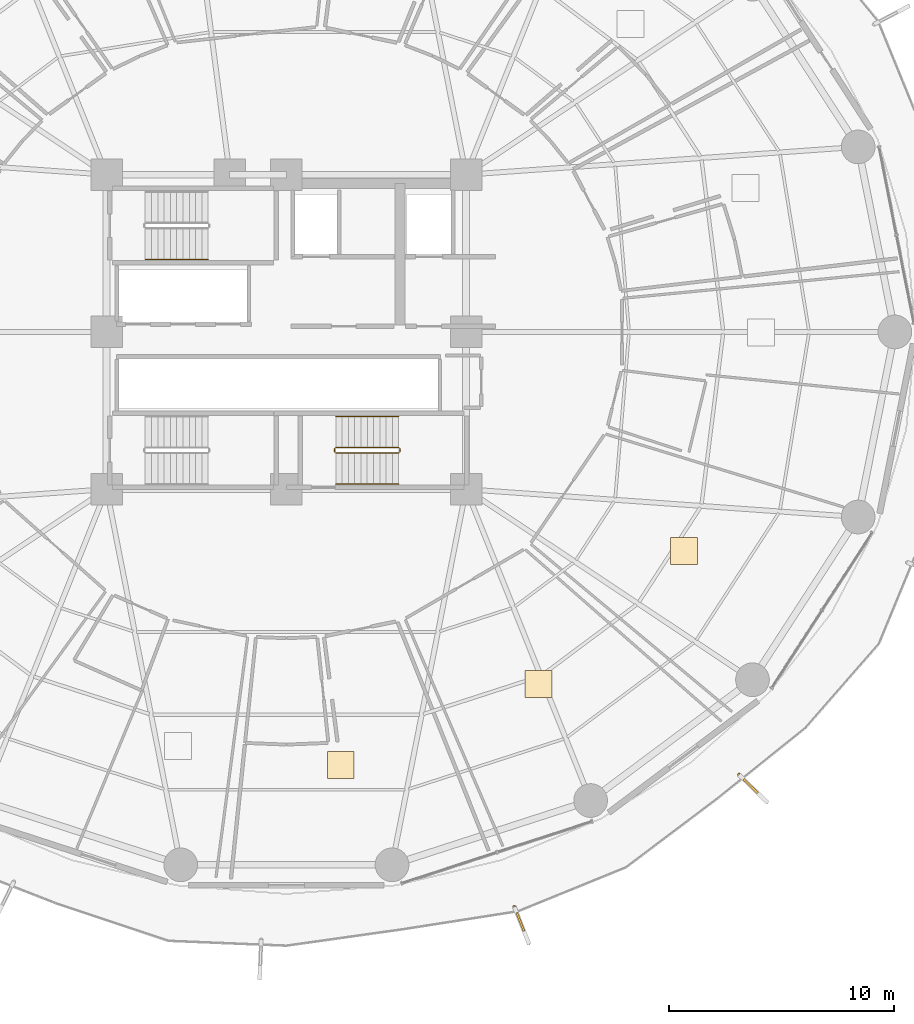
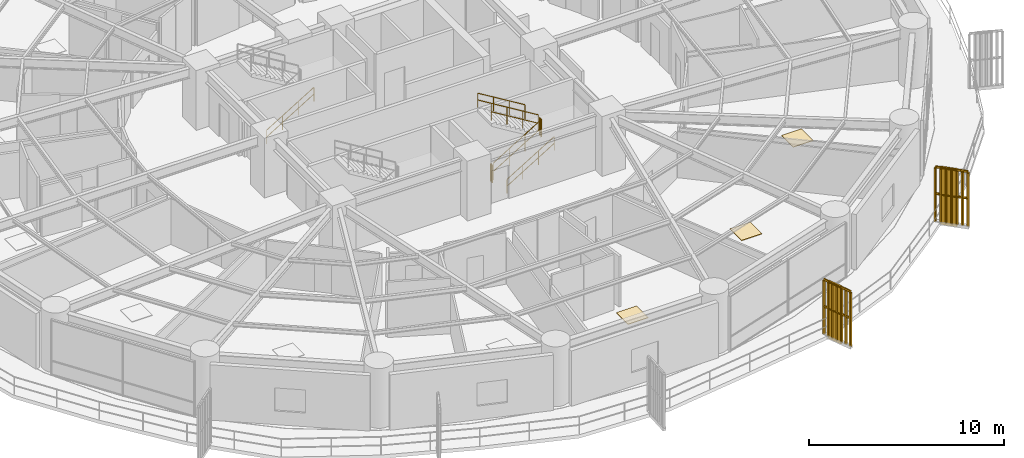
# One storey, part 29 of 32: 9 railings, 3 coverings, 2 shading devices.
"""IFC4 building model written with IfcOpenShell, lengths in metres."""

from ifc_helpers import new_model, si_unit, direction, frame, origin, origin_2d, place, context, subcontext, project, spatial, polyline, rectangle, outline, extrude, source, transform, mapped, material, layer, layer_set, type_object, element, save


model = new_model("IFC4")

# Units and contexts
model_context = context("Model", 3, precision=1e-05, world=origin(), true_north=direction((0.0, 1.0)))
body_context = subcontext(model_context, "Body", "Model", "MODEL_VIEW")
ifc_project = project(units=[si_unit("LENGTHUNIT", "METRE"), si_unit("AREAUNIT", "SQUARE_METRE"), si_unit("VOLUMEUNIT", "CUBIC_METRE"), si_unit("PLANEANGLEUNIT", "RADIAN"), si_unit("MASSUNIT", "GRAM", prefix="KILO")], contexts=[model_context])

# Site, building, storey
site_placement = place(None, origin())
site = spatial("IfcSite", under=ifc_project, at=site_placement, CompositionType="ELEMENT")
building_placement = place(site_placement, origin())
building = spatial("IfcBuilding", under=site, at=building_placement, Name="Kelanora Arch Commons", CompositionType="ELEMENT")
storey_placement = place(building_placement, frame((0.0, 0.0, 52.5)))
storey = spatial("IfcBuildingStorey", under=building, at=storey_placement, Name="L13", CompositionType="ELEMENT", Elevation=52.5)

# Railings
ifc_material_1 = material(Name="Anodised bronze vertical shading fin rib assembly")
railing_type_1 = type_object("IfcRailingType", Name="RAIL-FIN-BRZ", PredefinedType="BALUSTRADE", material=ifc_material_1)
railing_1_placement = place(storey_placement, frame((84.14697265625, 32.414794921875, -0.02001953125)))
element("IfcRailing", 1, at=railing_1_placement, inside=storey, type_object=railing_type_1, Name="Sweeping Bronze Vertical Fin Blade L13-11", PredefinedType="BALUSTRADE", context=body_context, shape_type="SweptSolid", body=[
    extrude(outline(polyline([(0.06982421875, 0.0), (0.034912109375, 0.060546875), (-0.034912109375, 0.060546875), (-0.06982421875, 0.0), (-0.034912109375, -0.060546875), (0.034912109375, -0.060546875), (0.06982421875, 0.0)])), frame((0.0, 0.0, 3.419921875), z_axis=(0.368615207574, -0.929582072087, 0.0), x_axis=(0.929582072087, 0.368615207574, 0.0)), (0.0, 0.0, 1.0), 1.72998046875),
    extrude(outline(polyline([(0.06982421875, 0.0), (0.034912109375, 0.060546875), (-0.034912109375, 0.060546875), (-0.06982421875, 0.0), (-0.034912109375, -0.060546875), (0.034912109375, -0.060546875), (0.06982421875, 0.0)])), frame((0.0, 0.0, 1.7451171875), z_axis=(0.368615207574, -0.929582072087, 0.0), x_axis=(0.929582072087, 0.368615207574, 0.0)), (0.0, 0.0, 1.0), 1.72998046875),
    extrude(outline(polyline([(0.080078125, 0.0), (0.0400390625, 0.0693359375), (-0.0400390625, 0.0693359375), (-0.080078125, 0.0), (-0.0400390625, -0.0693359375), (0.0400390625, -0.0693359375), (0.080078125, 0.0)])), origin(), (0.0, 0.0, 1.0), 3.35009765625),
    extrude(outline(polyline([(0.080078125, 0.0), (0.0400390625, 0.0693359375), (-0.0400390625, 0.0693359375), (-0.080078125, 0.0), (-0.0400390625, -0.0693359375), (0.0400390625, -0.0693359375), (0.080078125, 0.0)])), frame((0.106201171875, -0.26806640625, 0.0)), (0.0, 0.0, 1.0), 3.35009765625),
    extrude(outline(polyline([(0.080078125, 0.0), (0.0400390625, 0.0693359375), (-0.0400390625, 0.0693359375), (-0.080078125, 0.0), (-0.0400390625, -0.0693359375), (0.0400390625, -0.0693359375), (0.080078125, 0.0)])), frame((0.212646484375, -0.5361328125, 0.0)), (0.0, 0.0, 1.0), 3.35009765625),
    extrude(outline(polyline([(0.080078125, 0.0), (0.0400390625, 0.0693359375), (-0.0400390625, 0.0693359375), (-0.080078125, 0.0), (-0.0400390625, -0.0693359375), (0.0400390625, -0.0693359375), (0.080078125, 0.0)])), frame((0.31884765625, -0.80419921875, 0.0)), (0.0, 0.0, 1.0), 3.35009765625),
    extrude(outline(polyline([(0.080078125, 0.0), (0.0400390625, 0.0693359375), (-0.0400390625, 0.0693359375), (-0.080078125, 0.0), (-0.0400390625, -0.0693359375), (0.0400390625, -0.0693359375), (0.080078125, 0.0)])), frame((0.425048828125, -1.072021484375, 0.0)), (0.0, 0.0, 1.0), 3.35009765625),
    extrude(outline(polyline([(0.080078125, 0.0), (0.0400390625, 0.0693359375), (-0.0400390625, 0.0693359375), (-0.080078125, 0.0), (-0.0400390625, -0.0693359375), (0.0400390625, -0.0693359375), (0.080078125, 0.0)])), frame((0.531494140625, -1.340087890625, 0.0)), (0.0, 0.0, 1.0), 3.35009765625),
    extrude(outline(polyline([(0.080078125, 0.0), (0.0400390625, 0.0693359375), (-0.0400390625, 0.0693359375), (-0.080078125, 0.0), (-0.0400390625, -0.0693359375), (0.0400390625, -0.0693359375), (0.080078125, 0.0)])), frame((0.6376953125, -1.608154296875, 0.0)), (0.0, 0.0, 1.0), 3.35009765625),
])
railing_2_placement = place(storey_placement, frame((94.146240234375, 38.2939453125, -0.02001953125)))
element("IfcRailing", 2, at=railing_2_placement, inside=storey, type_object=railing_type_1, Name="Sweeping Bronze Vertical Fin Blade L13-12", PredefinedType="BALUSTRADE", context=body_context, shape_type="SweptSolid", body=[
    extrude(outline(polyline([(0.06982421875, 0.0), (0.034912109375, 0.060546875), (-0.034912109375, 0.060546875), (-0.06982421875, 0.0), (-0.034912109375, -0.060546875), (0.034912109375, -0.060546875), (0.06982421875, 0.0)])), frame((0.0, 0.0, 3.419921875), z_axis=(0.714895362948, -0.699231449547, 0.0), x_axis=(0.699231449547, 0.714895362948, 0.0)), (0.0, 0.0, 1.0), 1.72998046875),
    extrude(outline(polyline([(0.06982421875, 0.0), (0.034912109375, 0.060546875), (-0.034912109375, 0.060546875), (-0.06982421875, 0.0), (-0.034912109375, -0.060546875), (0.034912109375, -0.060546875), (0.06982421875, 0.0)])), frame((0.0, 0.0, 1.7451171875), z_axis=(0.714895362948, -0.699231449547, 0.0), x_axis=(0.699231449547, 0.714895362948, 0.0)), (0.0, 0.0, 1.0), 1.72998046875),
    extrude(outline(polyline([(0.080078125, 0.0), (0.0400390625, 0.0693359375), (-0.0400390625, 0.0693359375), (-0.080078125, 0.0), (-0.0400390625, -0.0693359375), (0.0400390625, -0.0693359375), (0.080078125, 0.0)])), origin(), (0.0, 0.0, 1.0), 3.35009765625),
    extrude(outline(polyline([(0.080078125, 0.0), (0.0400390625, 0.0693359375), (-0.0400390625, 0.0693359375), (-0.080078125, 0.0), (-0.0400390625, -0.0693359375), (0.0400390625, -0.0693359375), (0.080078125, 0.0)])), frame((0.2060546875, -0.20166015625, 0.0)), (0.0, 0.0, 1.0), 3.35009765625),
    extrude(outline(polyline([(0.080078125, 0.0), (0.0400390625, 0.0693359375), (-0.0400390625, 0.0693359375), (-0.080078125, 0.0), (-0.0400390625, -0.0693359375), (0.0400390625, -0.0693359375), (0.080078125, 0.0)])), frame((0.412353515625, -0.4033203125, 0.0)), (0.0, 0.0, 1.0), 3.35009765625),
    extrude(outline(polyline([(0.080078125, 0.0), (0.0400390625, 0.0693359375), (-0.0400390625, 0.0693359375), (-0.080078125, 0.0), (-0.0400390625, -0.0693359375), (0.0400390625, -0.0693359375), (0.080078125, 0.0)])), frame((0.618408203125, -0.60498046875, 0.0)), (0.0, 0.0, 1.0), 3.35009765625),
    extrude(outline(polyline([(0.080078125, 0.0), (0.0400390625, 0.0693359375), (-0.0400390625, 0.0693359375), (-0.080078125, 0.0), (-0.0400390625, -0.0693359375), (0.0400390625, -0.0693359375), (0.080078125, 0.0)])), frame((0.824462890625, -0.806396484375, 0.0)), (0.0, 0.0, 1.0), 3.35009765625),
    extrude(outline(polyline([(0.080078125, 0.0), (0.0400390625, 0.0693359375), (-0.0400390625, 0.0693359375), (-0.080078125, 0.0), (-0.0400390625, -0.0693359375), (0.0400390625, -0.0693359375), (0.080078125, 0.0)])), frame((1.03076171875, -1.008056640625, 0.0)), (0.0, 0.0, 1.0), 3.35009765625),
    extrude(outline(polyline([(0.080078125, 0.0), (0.0400390625, 0.0693359375), (-0.0400390625, 0.0693359375), (-0.080078125, 0.0), (-0.0400390625, -0.0693359375), (0.0400390625, -0.0693359375), (0.080078125, 0.0)])), frame((1.23681640625, -1.209716796875, 0.0)), (0.0, 0.0, 1.0), 3.35009765625),
])
ifc_material_2 = material(Name="Painted steel stair well guard", Category="steel")
railing_type_2 = type_object("IfcRailingType", Name="RAIL-STAIR-GRD", PredefinedType="GUARDRAIL", material=ifc_material_2)
railing_3_placement = place(storey_placement, frame((76.199951171875, 52.610107421875, 0.17041015625)))
element("IfcRailing", 3, at=railing_3_placement, inside=storey, type_object=railing_type_2, Name="L13 ST-T2 stair guard 1", PredefinedType="GUARDRAIL", context=body_context, shape_type="SweptSolid", body=[
    extrude(outline(polyline([(0.02392578125, 0.0), (0.011962890625, 0.020751953125), (-0.011962890625, 0.020751953125), (-0.02392578125, 0.0), (-0.011962890625, -0.020751953125), (0.011962890625, -0.020751953125), (0.02392578125, 0.0)])), frame((0.0, 0.0, 1.076171875), z_axis=(0.854169791009, 0.0, 0.51999420009), x_axis=(0.0, 1.0, 0.0)), (0.0, 0.0, 1.0), 3.278076171875),
    extrude(outline(polyline([(0.02392578125, 0.0), (0.011962890625, 0.020751953125), (-0.011962890625, 0.020751953125), (-0.02392578125, 0.0), (-0.011962890625, -0.020751953125), (0.011962890625, -0.020751953125), (0.02392578125, 0.0)])), frame((0.0, 0.0, 0.550048828125), z_axis=(0.854169791009, 0.0, 0.51999420009), x_axis=(0.0, 1.0, 0.0)), (0.0, 0.0, 1.0), 3.278076171875),
    extrude(outline(polyline([(0.02099609375, 0.0), (0.010498046875, 0.01806640625), (-0.010498046875, 0.01806640625), (-0.02099609375, 0.0), (-0.010498046875, -0.01806640625), (0.010498046875, -0.01806640625), (0.02099609375, 0.0)])), origin(), (0.0, 0.0, 1.0), 1.052001953125),
    extrude(outline(polyline([(0.02099609375, 0.0), (0.010498046875, 0.01806640625), (-0.010498046875, 0.01806640625), (-0.02099609375, 0.0), (-0.010498046875, -0.01806640625), (0.010498046875, -0.01806640625), (0.02099609375, 0.0)])), frame((0.933349609375, 0.0, 0.568115234375)), (0.0, 0.0, 1.0), 1.052001953125),
    extrude(outline(polyline([(0.02099609375, 0.0), (0.010498046875, 0.01806640625), (-0.010498046875, 0.01806640625), (-0.02099609375, 0.0), (-0.010498046875, -0.01806640625), (0.010498046875, -0.01806640625), (0.02099609375, 0.0)])), frame((1.86669921875, 0.0, 1.136474609375)), (0.0, 0.0, 1.0), 1.052001953125),
    extrude(outline(polyline([(0.02099609375, 0.0), (0.010498046875, 0.01806640625), (-0.010498046875, 0.01806640625), (-0.02099609375, 0.0), (-0.010498046875, -0.01806640625), (0.010498046875, -0.01806640625), (0.02099609375, 0.0)])), frame((2.800048828125, 0.0, 1.70458984375)), (0.0, 0.0, 1.0), 1.052001953125),
])
railing_4_placement = place(storey_placement, frame((79.050048828125, 52.659912109375, 1.875)))
element("IfcRailing", 4, at=railing_4_placement, inside=storey, type_object=railing_type_2, Name="L13 ST-T2 stair guard 2", PredefinedType="GUARDRAIL", context=body_context, shape_type="SweptSolid", body=[
    extrude(outline(polyline([(0.02392578125, 0.0), (0.011962890625, 0.020751953125), (-0.011962890625, 0.020751953125), (-0.02392578125, 0.0), (-0.011962890625, -0.020751953125), (0.011962890625, -0.020751953125), (0.02392578125, 0.0)])), frame((0.0, 0.0, 1.076171875), z_axis=(0.0, 1.0, 0.0), x_axis=(-1.0, 0.0, 0.0)), (0.0, 0.0, 1.0), 0.150146484375),
    extrude(outline(polyline([(0.02392578125, 0.0), (0.011962890625, 0.020751953125), (-0.011962890625, 0.020751953125), (-0.02392578125, 0.0), (-0.011962890625, -0.020751953125), (0.011962890625, -0.020751953125), (0.02392578125, 0.0)])), frame((0.0, 0.0, 0.550048828125), z_axis=(0.0, 1.0, 0.0), x_axis=(-1.0, 0.0, 0.0)), (0.0, 0.0, 1.0), 0.150146484375),
    extrude(outline(polyline([(0.02099609375, 0.0), (0.010498046875, 0.01806640625), (-0.010498046875, 0.01806640625), (-0.02099609375, 0.0), (-0.010498046875, -0.01806640625), (0.010498046875, -0.01806640625), (0.02099609375, 0.0)])), origin(), (0.0, 0.0, 1.0), 1.052001953125),
    extrude(outline(polyline([(0.02099609375, 0.0), (0.010498046875, 0.01806640625), (-0.010498046875, 0.01806640625), (-0.02099609375, 0.0), (-0.010498046875, -0.01806640625), (0.010498046875, -0.01806640625), (0.02099609375, 0.0)])), frame((0.0, 0.150146484375, 0.0)), (0.0, 0.0, 1.0), 1.052001953125),
])
railing_5_placement = place(storey_placement, frame((79.0, 52.860107421875, 2.04541015625)))
element("IfcRailing", 5, at=railing_5_placement, inside=storey, type_object=railing_type_2, Name="L13 ST-T2 stair guard 3", PredefinedType="GUARDRAIL", context=body_context, shape_type="SweptSolid", body=[
    extrude(outline(polyline([(0.02392578125, 0.0), (0.011962890625, 0.020751953125), (-0.011962890625, 0.020751953125), (-0.02392578125, 0.0), (-0.011962890625, -0.020751953125), (0.011962890625, -0.020751953125), (0.02392578125, 0.0)])), frame((0.0, 0.0, 1.076171875), z_axis=(-0.854169791009, 0.0, 0.51999420009), x_axis=(0.0, -1.0, 0.0)), (0.0, 0.0, 1.0), 3.278076171875),
    extrude(outline(polyline([(0.02392578125, 0.0), (0.011962890625, 0.020751953125), (-0.011962890625, 0.020751953125), (-0.02392578125, 0.0), (-0.011962890625, -0.020751953125), (0.011962890625, -0.020751953125), (0.02392578125, 0.0)])), frame((0.0, 0.0, 0.550048828125), z_axis=(-0.854169791009, 0.0, 0.51999420009), x_axis=(0.0, -1.0, 0.0)), (0.0, 0.0, 1.0), 3.278076171875),
    extrude(outline(polyline([(0.02099609375, 0.0), (0.010498046875, 0.01806640625), (-0.010498046875, 0.01806640625), (-0.02099609375, 0.0), (-0.010498046875, -0.01806640625), (0.010498046875, -0.01806640625), (0.02099609375, 0.0)])), origin(), (0.0, 0.0, 1.0), 1.052001953125),
    extrude(outline(polyline([(0.02099609375, 0.0), (0.010498046875, 0.01806640625), (-0.010498046875, 0.01806640625), (-0.02099609375, 0.0), (-0.010498046875, -0.01806640625), (0.010498046875, -0.01806640625), (0.02099609375, 0.0)])), frame((-0.933349609375, 0.0, 0.568115234375)), (0.0, 0.0, 1.0), 1.052001953125),
    extrude(outline(polyline([(0.02099609375, 0.0), (0.010498046875, 0.01806640625), (-0.010498046875, 0.01806640625), (-0.02099609375, 0.0), (-0.010498046875, -0.01806640625), (0.010498046875, -0.01806640625), (0.02099609375, 0.0)])), frame((-1.86669921875, 0.0, 1.136474609375)), (0.0, 0.0, 1.0), 1.052001953125),
    extrude(outline(polyline([(0.02099609375, 0.0), (0.010498046875, 0.01806640625), (-0.010498046875, 0.01806640625), (-0.02099609375, 0.0), (-0.010498046875, -0.01806640625), (0.010498046875, -0.01806640625), (0.02099609375, 0.0)])), frame((-2.800048828125, 0.0, 1.70458984375)), (0.0, 0.0, 1.0), 1.052001953125),
])
railing_6_placement = place(storey_placement, frame((76.14990234375, 52.659912109375, 0.0)))
element("IfcRailing", 6, at=railing_6_placement, inside=storey, type_object=railing_type_2, Name="L13 ST-T2 stair guard 4", PredefinedType="GUARDRAIL", context=body_context, shape_type="SweptSolid", body=[
    extrude(outline(polyline([(0.02392578125, 0.0), (0.011962890625, 0.020751953125), (-0.011962890625, 0.020751953125), (-0.02392578125, 0.0), (-0.011962890625, -0.020751953125), (0.011962890625, -0.020751953125), (0.02392578125, 0.0)])), frame((0.0, 0.0, 1.076171875), z_axis=(0.0, 1.0, 0.0), x_axis=(-1.0, 0.0, 0.0)), (0.0, 0.0, 1.0), 0.150146484375),
    extrude(outline(polyline([(0.02392578125, 0.0), (0.011962890625, 0.020751953125), (-0.011962890625, 0.020751953125), (-0.02392578125, 0.0), (-0.011962890625, -0.020751953125), (0.011962890625, -0.020751953125), (0.02392578125, 0.0)])), frame((0.0, 0.0, 0.550048828125), z_axis=(0.0, 1.0, 0.0), x_axis=(-1.0, 0.0, 0.0)), (0.0, 0.0, 1.0), 0.150146484375),
    extrude(outline(polyline([(0.02099609375, 0.0), (0.010498046875, 0.01806640625), (-0.010498046875, 0.01806640625), (-0.02099609375, 0.0), (-0.010498046875, -0.01806640625), (0.010498046875, -0.01806640625), (0.02099609375, 0.0)])), origin(), (0.0, 0.0, 1.0), 1.052001953125),
    extrude(outline(polyline([(0.02099609375, 0.0), (0.010498046875, 0.01806640625), (-0.010498046875, 0.01806640625), (-0.02099609375, 0.0), (-0.010498046875, -0.01806640625), (0.010498046875, -0.01806640625), (0.02099609375, 0.0)])), frame((0.0, 0.150146484375, 0.0)), (0.0, 0.0, 1.0), 1.052001953125),
])
ifc_material_3 = material(Name="Brushed stainless steel stair handrail", Category="steel")
railing_type_3 = type_object("IfcRailingType", Name="RAIL-STAIR-HND", PredefinedType="HANDRAIL", material=ifc_material_3)
railing_7_placement = place(storey_placement, frame((67.719970703125, 61.22998046875, 0.17041015625)))
element("IfcRailing", 7, at=railing_7_placement, inside=storey, type_object=railing_type_3, Name="L13 ST-T1 stair handrail 1", PredefinedType="HANDRAIL", context=body_context, shape_type="SweptSolid", body=[
    extrude(outline(polyline([(0.02392578125, 0.0), (0.011962890625, 0.020751953125), (-0.011962890625, 0.020751953125), (-0.02392578125, 0.0), (-0.011962890625, -0.020751953125), (0.011962890625, -0.020751953125), (0.02392578125, 0.0)])), frame((0.0, 0.0, 0.8759765625), z_axis=(0.854169791009, 0.0, 0.51999420009), x_axis=(0.0, 1.0, 0.0)), (0.0, 0.0, 1.0), 3.278076171875),
    extrude(outline(polyline([(0.02392578125, 0.0), (0.011962890625, 0.020751953125), (-0.011962890625, 0.020751953125), (-0.02392578125, 0.0), (-0.011962890625, -0.020751953125), (0.011962890625, -0.020751953125), (0.02392578125, 0.0)])), frame((0.0, 0.0, 0.449951171875), z_axis=(0.854169791009, 0.0, 0.51999420009), x_axis=(0.0, 1.0, 0.0)), (0.0, 0.0, 1.0), 3.278076171875),
    extrude(outline(polyline([(0.02099609375, 0.0), (0.010498046875, 0.01806640625), (-0.010498046875, 0.01806640625), (-0.02099609375, 0.0), (-0.010498046875, -0.01806640625), (0.010498046875, -0.01806640625), (0.02099609375, 0.0)])), origin(), (0.0, 0.0, 1.0), 0.851806640625),
    extrude(outline(polyline([(0.02099609375, 0.0), (0.010498046875, 0.01806640625), (-0.010498046875, 0.01806640625), (-0.02099609375, 0.0), (-0.010498046875, -0.01806640625), (0.010498046875, -0.01806640625), (0.02099609375, 0.0)])), frame((0.933349609375, 0.0, 0.568115234375)), (0.0, 0.0, 1.0), 0.851806640625),
    extrude(outline(polyline([(0.02099609375, 0.0), (0.010498046875, 0.01806640625), (-0.010498046875, 0.01806640625), (-0.02099609375, 0.0), (-0.010498046875, -0.01806640625), (0.010498046875, -0.01806640625), (0.02099609375, 0.0)])), frame((1.86669921875, 0.0, 1.136474609375)), (0.0, 0.0, 1.0), 0.851806640625),
    extrude(outline(polyline([(0.02099609375, 0.0), (0.010498046875, 0.01806640625), (-0.010498046875, 0.01806640625), (-0.02099609375, 0.0), (-0.010498046875, -0.01806640625), (0.010498046875, -0.01806640625), (0.02099609375, 0.0)])), frame((2.800048828125, 0.0, 1.70458984375)), (0.0, 0.0, 1.0), 0.851806640625),
])
railing_8_placement = place(storey_placement, frame((76.199951171875, 51.22998046875, 0.17041015625)))
element("IfcRailing", 8, at=railing_8_placement, inside=storey, type_object=railing_type_3, Name="L13 ST-T2 stair handrail 1", PredefinedType="HANDRAIL", context=body_context, shape_type="SweptSolid", body=[
    extrude(outline(polyline([(0.02392578125, 0.0), (0.011962890625, 0.020751953125), (-0.011962890625, 0.020751953125), (-0.02392578125, 0.0), (-0.011962890625, -0.020751953125), (0.011962890625, -0.020751953125), (0.02392578125, 0.0)])), frame((0.0, 0.0, 0.8759765625), z_axis=(0.854169791009, 0.0, 0.51999420009), x_axis=(0.0, 1.0, 0.0)), (0.0, 0.0, 1.0), 3.278076171875),
    extrude(outline(polyline([(0.02392578125, 0.0), (0.011962890625, 0.020751953125), (-0.011962890625, 0.020751953125), (-0.02392578125, 0.0), (-0.011962890625, -0.020751953125), (0.011962890625, -0.020751953125), (0.02392578125, 0.0)])), frame((0.0, 0.0, 0.449951171875), z_axis=(0.854169791009, 0.0, 0.51999420009), x_axis=(0.0, 1.0, 0.0)), (0.0, 0.0, 1.0), 3.278076171875),
    extrude(outline(polyline([(0.02099609375, 0.0), (0.010498046875, 0.01806640625), (-0.010498046875, 0.01806640625), (-0.02099609375, 0.0), (-0.010498046875, -0.01806640625), (0.010498046875, -0.01806640625), (0.02099609375, 0.0)])), origin(), (0.0, 0.0, 1.0), 0.851806640625),
    extrude(outline(polyline([(0.02099609375, 0.0), (0.010498046875, 0.01806640625), (-0.010498046875, 0.01806640625), (-0.02099609375, 0.0), (-0.010498046875, -0.01806640625), (0.010498046875, -0.01806640625), (0.02099609375, 0.0)])), frame((0.933349609375, 0.0, 0.568115234375)), (0.0, 0.0, 1.0), 0.851806640625),
    extrude(outline(polyline([(0.02099609375, 0.0), (0.010498046875, 0.01806640625), (-0.010498046875, 0.01806640625), (-0.02099609375, 0.0), (-0.010498046875, -0.01806640625), (0.010498046875, -0.01806640625), (0.02099609375, 0.0)])), frame((1.86669921875, 0.0, 1.136474609375)), (0.0, 0.0, 1.0), 0.851806640625),
    extrude(outline(polyline([(0.02099609375, 0.0), (0.010498046875, 0.01806640625), (-0.010498046875, 0.01806640625), (-0.02099609375, 0.0), (-0.010498046875, -0.01806640625), (0.010498046875, -0.01806640625), (0.02099609375, 0.0)])), frame((2.800048828125, 0.0, 1.70458984375)), (0.0, 0.0, 1.0), 0.851806640625),
])
railing_9_placement = place(storey_placement, frame((79.0, 54.239990234375, 2.04541015625)))
element("IfcRailing", 9, at=railing_9_placement, inside=storey, type_object=railing_type_3, Name="L13 ST-T2 stair handrail 2", PredefinedType="HANDRAIL", context=body_context, shape_type="SweptSolid", body=[
    extrude(outline(polyline([(0.02392578125, 0.0), (0.011962890625, 0.020751953125), (-0.011962890625, 0.020751953125), (-0.02392578125, 0.0), (-0.011962890625, -0.020751953125), (0.011962890625, -0.020751953125), (0.02392578125, 0.0)])), frame((0.0, 0.0, 0.8759765625), z_axis=(-0.854169791009, 0.0, 0.51999420009), x_axis=(0.0, -1.0, 0.0)), (0.0, 0.0, 1.0), 3.278076171875),
    extrude(outline(polyline([(0.02392578125, 0.0), (0.011962890625, 0.020751953125), (-0.011962890625, 0.020751953125), (-0.02392578125, 0.0), (-0.011962890625, -0.020751953125), (0.011962890625, -0.020751953125), (0.02392578125, 0.0)])), frame((0.0, 0.0, 0.449951171875), z_axis=(-0.854169791009, 0.0, 0.51999420009), x_axis=(0.0, -1.0, 0.0)), (0.0, 0.0, 1.0), 3.278076171875),
    extrude(outline(polyline([(0.02099609375, 0.0), (0.010498046875, 0.01806640625), (-0.010498046875, 0.01806640625), (-0.02099609375, 0.0), (-0.010498046875, -0.01806640625), (0.010498046875, -0.01806640625), (0.02099609375, 0.0)])), origin(), (0.0, 0.0, 1.0), 0.851806640625),
    extrude(outline(polyline([(0.02099609375, 0.0), (0.010498046875, 0.01806640625), (-0.010498046875, 0.01806640625), (-0.02099609375, 0.0), (-0.010498046875, -0.01806640625), (0.010498046875, -0.01806640625), (0.02099609375, 0.0)])), frame((-0.933349609375, 0.0, 0.568115234375)), (0.0, 0.0, 1.0), 0.851806640625),
    extrude(outline(polyline([(0.02099609375, 0.0), (0.010498046875, 0.01806640625), (-0.010498046875, 0.01806640625), (-0.02099609375, 0.0), (-0.010498046875, -0.01806640625), (0.010498046875, -0.01806640625), (0.02099609375, 0.0)])), frame((-1.86669921875, 0.0, 1.136474609375)), (0.0, 0.0, 1.0), 0.851806640625),
    extrude(outline(polyline([(0.02099609375, 0.0), (0.010498046875, 0.01806640625), (-0.010498046875, 0.01806640625), (-0.02099609375, 0.0), (-0.010498046875, -0.01806640625), (0.010498046875, -0.01806640625), (0.02099609375, 0.0)])), frame((-2.800048828125, 0.0, 1.70458984375)), (0.0, 0.0, 1.0), 0.851806640625),
])

# Shading devices
ifc_material_4 = material(Name="Terracotta ceramic-clad extruded aluminium fin", Category="masonry")
shading_device_type = type_object("IfcShadingDeviceType", Name="SHD-FIN-FLARE", PredefinedType="USERDEFINED", material=ifc_material_4)
shared_shape_1 = source(origin(), body_context, "Body", "SweptSolid", [
    extrude(rectangle(XDim=0.8798828125, YDim=0.090087890625, at=origin_2d()), origin(), (0.0, 0.0, 1.0), 3.610107421875),
])
for number, where, z_axis, x_axis, name in (
    (10, (84.412353515625, 31.74560546875, -0.14013671875), (0.0, 0.0, 1.0), (0.36861133203, -0.92958360888, 0.0), "Sweeping Terracotta Fin L13-11"),
    (11, (94.660888671875, 37.79052734375, -0.14013671875), (0.0, 0.0, 1.0), (0.714838924546, -0.699289147602, 0.0), "Sweeping Terracotta Fin L13-12"),
):
    element("IfcShadingDevice", number, at=place(storey_placement, frame(where, z_axis=z_axis, x_axis=x_axis)), inside=storey, type_object=shading_device_type, Name=name, ObjectType="FIN", PredefinedType="USERDEFINED", context=body_context, shape_type="MappedRepresentation", body=[
        mapped(shared_shape_1, transform((0.0, 0.0, 0.0), scale=1.0)),
    ])

# Coverings
ifc_material_5 = material(Name="Polished local granite terrazzo flooring", Category="masonry")
ifc_layer = layer(ifc_material_5, 0.030029296875)
ifc_layer_set = layer_set([ifc_layer], Name="Polished local granite terrazzo flooring")
covering_type = type_object("IfcCoveringType", Name="COV-FLR-TER", PredefinedType="FLOORING", material=ifc_layer_set)
shared_shape_2 = source(origin(), body_context, "Body", "SweptSolid", [
    extrude(rectangle(XDim=1.199951171875, YDim=1.199951171875, at=origin_2d()), origin(), (0.0, 0.0, 1.0), 0.030029296875),
])
for number, where, z_axis, x_axis, name in (
    (12, (76.42041015625, 38.73681640625, 0.0), (0.0, 0.0, 1.0), (1.0, 0.0, 0.0), "Co-Living Studio L13-11 Terrazzo Finish"),
    (13, (85.229736328125, 42.3271484375, 0.0), (0.0, 0.0, 1.0), (1.0, 0.0, 0.0), "Quiet Seminar Study Room L13-12 Terrazzo Finish"),
    (14, (91.702880859375, 48.2470703125, 0.0), (0.0, 0.0, 1.0), (1.0, 0.0, 0.0), "Quiet Seminar Study Room L13-13 Terrazzo Finish"),
):
    element("IfcCovering", number, at=place(storey_placement, frame(where, z_axis=z_axis, x_axis=x_axis)), inside=storey, type_object=covering_type, Name=name, PredefinedType="FLOORING", context=body_context, shape_type="MappedRepresentation", body=[
        mapped(shared_shape_2, transform((0.0, 0.0, 0.0), scale=1.0)),
    ])

save(model, "model.ifc")
